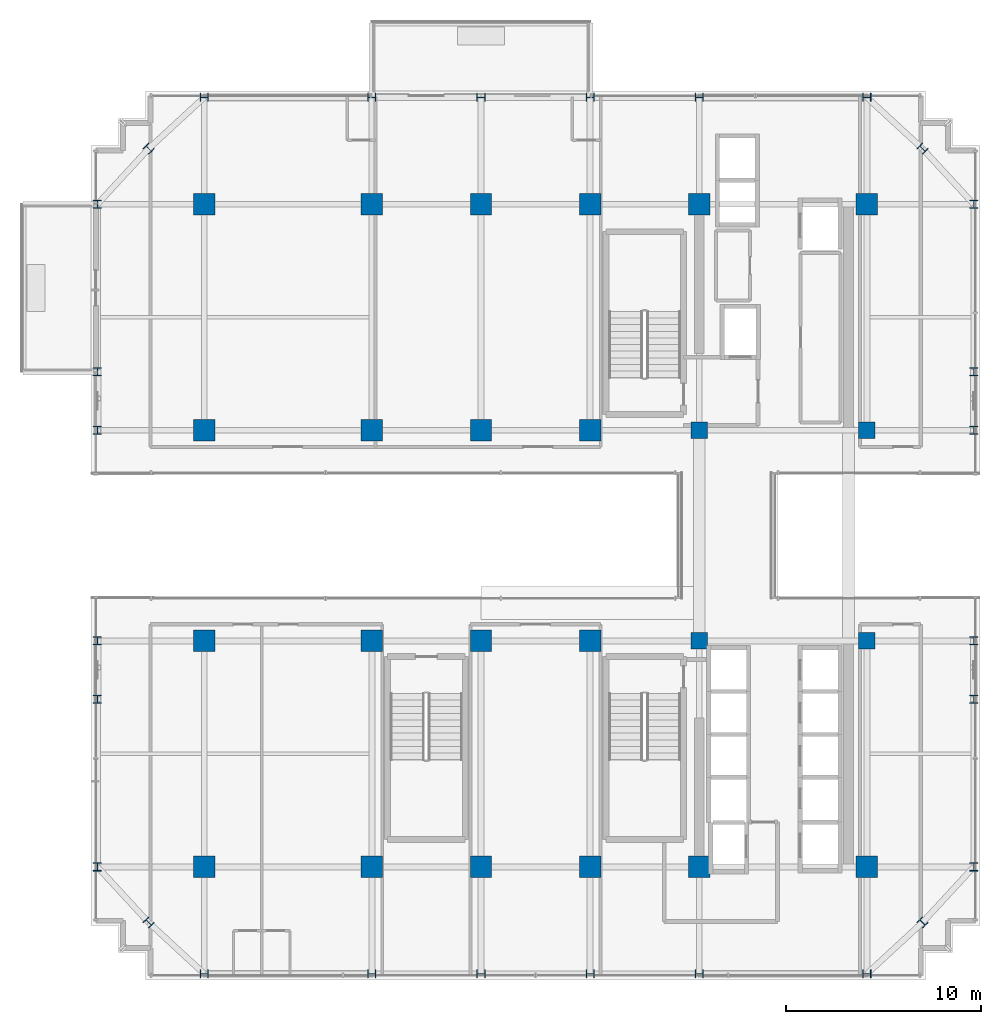
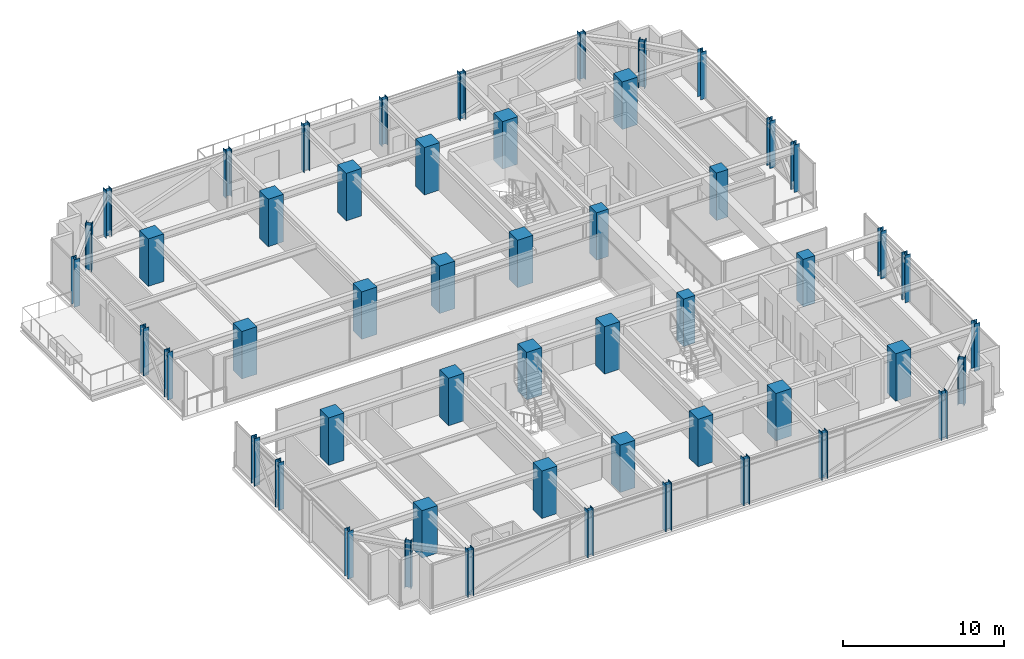
# One storey, part 1 of 43: 52 columns.
"""IFC4 building model written with IfcOpenShell, lengths in metres."""

from ifc_helpers import new_model, si_unit, direction, frame, origin, origin_2d, place, context, subcontext, project, spatial, rectangle, i_section, extrude, source, transform, mapped, material, material_profile, profile_set, type_object, element, save


model = new_model("IFC4")

# Units and contexts
model_context = context("Model", 3, precision=1e-05, world=origin(), true_north=direction((0.0, 1.0)))
body_context = subcontext(model_context, "Body", "Model", "MODEL_VIEW")
ifc_project = project(units=[si_unit("LENGTHUNIT", "METRE"), si_unit("AREAUNIT", "SQUARE_METRE"), si_unit("VOLUMEUNIT", "CUBIC_METRE"), si_unit("PLANEANGLEUNIT", "RADIAN"), si_unit("MASSUNIT", "GRAM", prefix="KILO")], contexts=[model_context])

# Site, building, storey
site_placement = place(None, origin())
site = spatial("IfcSite", under=ifc_project, at=site_placement, CompositionType="ELEMENT")
building_placement = place(site_placement, origin())
building = spatial("IfcBuilding", under=site, at=building_placement, Name="Nahalor Promenade Grand Hotel", CompositionType="ELEMENT")
storey_placement = place(building_placement, frame((0.0, 0.0, 181.85009765625)))
storey = spatial("IfcBuildingStorey", under=building, at=storey_placement, Name="L46", CompositionType="ELEMENT", Elevation=181.85009765625)

# Columns
ifc_material_1 = material(Name="Concrete B-70 (C60/75)", Category="concrete")
ifc_material_profile_1 = material_profile(ifc_material_1, rectangle(XDim=0.85, YDim=0.85, at=origin_2d()), Name="RC 850x850")
ifc_profile_set_1 = profile_set([ifc_material_profile_1], Name="Concrete B-70 (C60/75)")
column_type_1 = type_object("IfcColumnType", Name="Col-Pilaster-850", PredefinedType="PILASTER", material=ifc_profile_set_1)
shared_shape_1 = source(origin(), body_context, "Body", "SweptSolid", [
    extrude(rectangle(XDim=0.85, YDim=0.85, at=origin_2d()), origin(), (0.0, 0.0, 1.0), 3.60498046875),
])
for number, where, z_axis, x_axis, name in (
    (1, (8.39990234375, -5.39990234375, 0.0), (0.0, 0.0, 1.0), (1.0, 0.0, 0.0), "COL-L46-I41"),
    (2, (8.39990234375, 5.39990234375, 0.0), (0.0, 0.0, 1.0), (1.0, 0.0, 0.0), "COL-L46-I42"),
    (3, (17.0, -5.39990234375, 0.0), (0.0, 0.0, 1.0), (1.0, 0.0, 0.0), "COL-L46-I51"),
    (4, (17.0, 5.39990234375, 0.0), (0.0, 0.0, 1.0), (1.0, 0.0, 0.0), "COL-L46-I52"),
):
    element("IfcColumn", number, at=place(storey_placement, frame(where, z_axis=z_axis, x_axis=x_axis)), inside=storey, type_object=column_type_1, Name=name, PredefinedType="PILASTER", context=body_context, shape_type="MappedRepresentation", body=[
        mapped(shared_shape_1, transform((0.0, 0.0, 0.0), scale=1.0)),
    ])
ifc_material_2 = material(Name="Concrete B-60 (C50/60)", Category="concrete")
ifc_material_profile_2 = material_profile(ifc_material_2, rectangle(XDim=1.1, YDim=1.1, at=origin_2d()), Name="RC 1100x1100")
ifc_profile_set_2 = profile_set([ifc_material_profile_2], Name="Concrete B-60 (C50/60)")
column_type_2 = type_object("IfcColumnType", Name="Col-RC-1100", PredefinedType="COLUMN", material=ifc_profile_set_2)
shared_shape_2 = source(origin(), body_context, "Body", "SweptSolid", [
    extrude(rectangle(XDim=1.1, YDim=1.1, at=origin_2d()), origin(), (0.0, 0.0, 1.0), 3.60498046875),
])
for number, where, z_axis, x_axis, name in (
    (5, (-17.0, -17.0, 0.0), (0.0, 0.0, 1.0), (1.0, 0.0, 0.0), "COL-L46-I00"),
    (6, (-17.0, -5.39990234375, 0.0), (0.0, 0.0, 1.0), (1.0, 0.0, 0.0), "COL-L46-I01"),
    (7, (-17.0, 5.39990234375, 0.0), (0.0, 0.0, 1.0), (1.0, 0.0, 0.0), "COL-L46-I02"),
    (8, (-17.0, 17.0, 0.0), (0.0, 0.0, 1.0), (1.0, 0.0, 0.0), "COL-L46-I03"),
    (9, (-8.39990234375, -17.0, 0.0), (0.0, 0.0, 1.0), (1.0, 0.0, 0.0), "COL-L46-I10"),
    (10, (-8.39990234375, -5.39990234375, 0.0), (0.0, 0.0, 1.0), (1.0, 0.0, 0.0), "COL-L46-I11"),
    (11, (-8.39990234375, 5.39990234375, 0.0), (0.0, 0.0, 1.0), (1.0, 0.0, 0.0), "COL-L46-I12"),
    (12, (-8.39990234375, 17.0, 0.0), (0.0, 0.0, 1.0), (1.0, 0.0, 0.0), "COL-L46-I13"),
    (13, (-2.800048828125, -17.0, 0.0), (0.0, 0.0, 1.0), (1.0, 0.0, 0.0), "COL-L46-I20"),
    (14, (-2.800048828125, -5.39990234375, 0.0), (0.0, 0.0, 1.0), (1.0, 0.0, 0.0), "COL-L46-I21"),
    (15, (-2.800048828125, 5.39990234375, 0.0), (0.0, 0.0, 1.0), (1.0, 0.0, 0.0), "COL-L46-I22"),
    (16, (-2.800048828125, 17.0, 0.0), (0.0, 0.0, 1.0), (1.0, 0.0, 0.0), "COL-L46-I23"),
    (17, (2.800048828125, -17.0, 0.0), (0.0, 0.0, 1.0), (1.0, 0.0, 0.0), "COL-L46-I30"),
    (18, (2.800048828125, -5.39990234375, 0.0), (0.0, 0.0, 1.0), (1.0, 0.0, 0.0), "COL-L46-I31"),
    (19, (2.800048828125, 5.39990234375, 0.0), (0.0, 0.0, 1.0), (1.0, 0.0, 0.0), "COL-L46-I32"),
    (20, (2.800048828125, 17.0, 0.0), (0.0, 0.0, 1.0), (1.0, 0.0, 0.0), "COL-L46-I33"),
    (21, (8.39990234375, -17.0, 0.0), (0.0, 0.0, 1.0), (1.0, 0.0, 0.0), "COL-L46-I40"),
    (22, (8.39990234375, 17.0, 0.0), (0.0, 0.0, 1.0), (1.0, 0.0, 0.0), "COL-L46-I43"),
    (23, (17.0, -17.0, 0.0), (0.0, 0.0, 1.0), (1.0, 0.0, 0.0), "COL-L46-I50"),
    (24, (17.0, 17.0, 0.0), (0.0, 0.0, 1.0), (1.0, 0.0, 0.0), "COL-L46-I53"),
):
    element("IfcColumn", number, at=place(storey_placement, frame(where, z_axis=z_axis, x_axis=x_axis)), inside=storey, type_object=column_type_2, Name=name, PredefinedType="COLUMN", context=body_context, shape_type="MappedRepresentation", body=[
        mapped(shared_shape_2, transform((0.0, 0.0, 0.0), scale=1.0)),
    ])
ifc_material_3 = material(Name="Steel S355J2", Category="steel")
ifc_material_profile_3 = material_profile(ifc_material_3, i_section(OverallWidth=0.406, OverallDepth=0.422, WebThickness=0.019, FlangeThickness=0.0305, at=origin_2d()), Name="HD 400x382")
ifc_profile_set_3 = profile_set([ifc_material_profile_3], Name="Steel S355J2")
column_type_3 = type_object("IfcColumnType", Name="Col-Steel-HD382", PredefinedType="COLUMN", material=ifc_profile_set_3)
shared_shape_3 = source(origin(), body_context, "Body", "SweptSolid", [
    extrude(i_section(OverallWidth=0.406, OverallDepth=0.422, WebThickness=0.019, FlangeThickness=0.0305, at=origin_2d()), origin(), (0.0, 0.0, 1.0), 3.60498046875),
])
for number, where, z_axis, x_axis, name in (
    (25, (-22.47998046875, -17.0, 0.0), (0.0, 0.0, 1.0), (1.0, 0.0, 0.0), "COL-L46-PW-W0"),
    (26, (22.47998046875, -17.0, 0.0), (0.0, 0.0, 1.0), (1.0, 0.0, 0.0), "COL-L46-PW-E0"),
    (27, (-22.47998046875, -8.39990234375, 0.0), (0.0, 0.0, 1.0), (1.0, 0.0, 0.0), "COL-L46-PW-W1"),
    (28, (22.47998046875, -8.39990234375, 0.0), (0.0, 0.0, 1.0), (1.0, 0.0, 0.0), "COL-L46-PW-E1"),
    (29, (-22.47998046875, -5.39990234375, 0.0), (0.0, 0.0, 1.0), (1.0, 0.0, 0.0), "COL-L46-PW-W2"),
    (30, (22.47998046875, -5.39990234375, 0.0), (0.0, 0.0, 1.0), (1.0, 0.0, 0.0), "COL-L46-PW-E2"),
    (31, (-22.47998046875, 5.39990234375, 0.0), (0.0, 0.0, 1.0), (1.0, 0.0, 0.0), "COL-L46-PW-W3"),
    (32, (22.47998046875, 5.39990234375, 0.0), (0.0, 0.0, 1.0), (1.0, 0.0, 0.0), "COL-L46-PW-E3"),
    (33, (-22.47998046875, 8.39990234375, 0.0), (0.0, 0.0, 1.0), (1.0, 0.0, 0.0), "COL-L46-PW-W4"),
    (34, (22.47998046875, 8.39990234375, 0.0), (0.0, 0.0, 1.0), (1.0, 0.0, 0.0), "COL-L46-PW-E4"),
    (35, (-22.47998046875, 17.0, 0.0), (0.0, 0.0, 1.0), (1.0, 0.0, 0.0), "COL-L46-PW-W5"),
    (36, (22.47998046875, 17.0, 0.0), (0.0, 0.0, 1.0), (1.0, 0.0, 0.0), "COL-L46-PW-E5"),
    (37, (-17.0, -22.47998046875, 0.0), (0.0, 0.0, 1.0), (0.0, 1.0, 0.0), "COL-L46-PN-S0"),
    (38, (-17.0, 22.47998046875, 0.0), (0.0, 0.0, 1.0), (0.0, 1.0, 0.0), "COL-L46-PN-N0"),
    (39, (-8.39990234375, -22.47998046875, 0.0), (0.0, 0.0, 1.0), (0.0, 1.0, 0.0), "COL-L46-PN-S1"),
    (40, (-8.39990234375, 22.47998046875, 0.0), (0.0, 0.0, 1.0), (0.0, 1.0, 0.0), "COL-L46-PN-N1"),
    (41, (-2.800048828125, -22.47998046875, 0.0), (0.0, 0.0, 1.0), (0.0, 1.0, 0.0), "COL-L46-PN-S2"),
    (42, (-2.800048828125, 22.47998046875, 0.0), (0.0, 0.0, 1.0), (0.0, 1.0, 0.0), "COL-L46-PN-N2"),
    (43, (2.800048828125, -22.47998046875, 0.0), (0.0, 0.0, 1.0), (0.0, 1.0, 0.0), "COL-L46-PN-S3"),
    (44, (2.800048828125, 22.47998046875, 0.0), (0.0, 0.0, 1.0), (0.0, 1.0, 0.0), "COL-L46-PN-N3"),
    (45, (8.39990234375, -22.47998046875, 0.0), (0.0, 0.0, 1.0), (0.0, 1.0, 0.0), "COL-L46-PN-S4"),
    (46, (8.39990234375, 22.47998046875, 0.0), (0.0, 0.0, 1.0), (0.0, 1.0, 0.0), "COL-L46-PN-N4"),
    (47, (17.0, -22.47998046875, 0.0), (0.0, 0.0, 1.0), (0.0, 1.0, 0.0), "COL-L46-PN-S5"),
    (48, (17.0, 22.47998046875, 0.0), (0.0, 0.0, 1.0), (0.0, 1.0, 0.0), "COL-L46-PN-N5"),
    (49, (-19.85009765625, -19.85009765625, 0.0), (0.0, 0.0, 1.0), (0.707106781187, 0.707106781187, 0.0), "COL-L46-CRN-SW"),
    (50, (-19.85009765625, 19.85009765625, 0.0), (0.0, 0.0, 1.0), (0.707106781187, 0.707106781187, 0.0), "COL-L46-CRN-NW"),
    (51, (19.85009765625, -19.85009765625, 0.0), (0.0, 0.0, 1.0), (0.707106781187, 0.707106781187, 0.0), "COL-L46-CRN-SE"),
    (52, (19.85009765625, 19.85009765625, 0.0), (0.0, 0.0, 1.0), (0.707106781187, 0.707106781187, 0.0), "COL-L46-CRN-NE"),
):
    element("IfcColumn", number, at=place(storey_placement, frame(where, z_axis=z_axis, x_axis=x_axis)), inside=storey, type_object=column_type_3, Name=name, PredefinedType="COLUMN", context=body_context, shape_type="MappedRepresentation", body=[
        mapped(shared_shape_3, transform((0.0, 0.0, 0.0), scale=1.0)),
    ])

save(model, "model.ifc")
